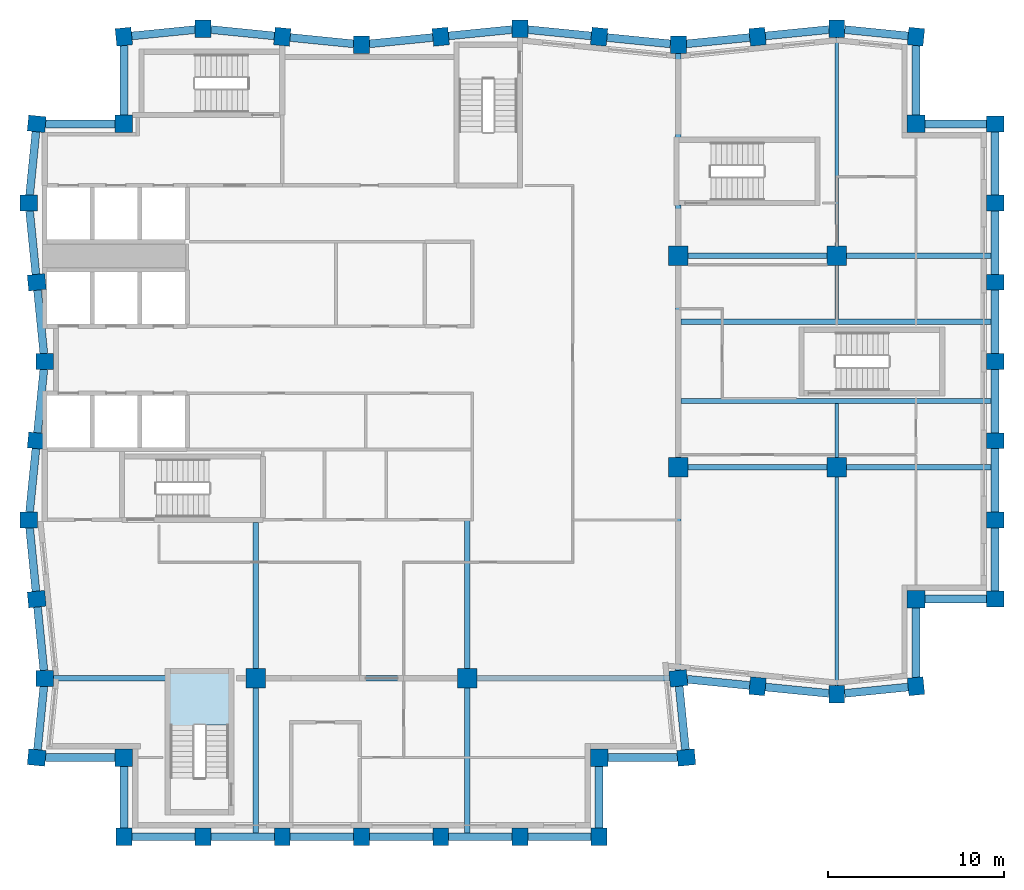
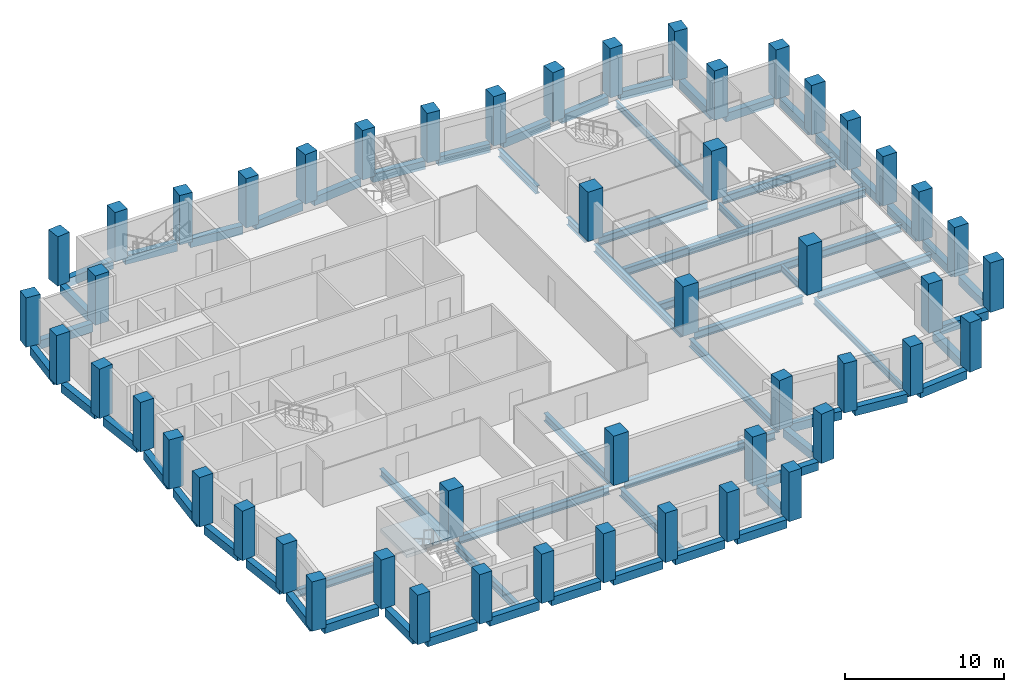
# One storey, part 1 of 8: 65 beams, 50 columns, 1 slab, 1 element without a shape of its own.
"""IFC4 building model written with IfcOpenShell, lengths in metres."""

from ifc_helpers import new_model, si_unit, direction, frame, origin, origin_2d, place, context, subcontext, project, spatial, polyline, rectangle, i_section, outline, extrude, material, layer, layer_set, material_profile, profile_set, type_object, element, aggregate, save


model = new_model("IFC4")

# Units and contexts
model_context = context("Model", 3, precision=1e-05, world=origin(), true_north=direction((0.0, 1.0)))
body_context = subcontext(model_context, "Body", "Model", "MODEL_VIEW")
ifc_project = project(units=[si_unit("LENGTHUNIT", "METRE"), si_unit("AREAUNIT", "SQUARE_METRE"), si_unit("VOLUMEUNIT", "CUBIC_METRE"), si_unit("PLANEANGLEUNIT", "RADIAN"), si_unit("MASSUNIT", "GRAM", prefix="KILO")], contexts=[model_context])

# Site, building, storey
site_placement = place(None, origin())
site = spatial("IfcSite", under=ifc_project, at=site_placement, CompositionType="ELEMENT")
building_placement = place(site_placement, origin())
building = spatial("IfcBuilding", under=site, at=building_placement, Name="Brondeck Convention Tower", CompositionType="ELEMENT")
storey_placement = place(building_placement, frame((0.0, 0.0, 233.0)))
storey = spatial("IfcBuildingStorey", under=building, at=storey_placement, Name="L57", CompositionType="ELEMENT", Elevation=233.0)

# Columns
ifc_material_1 = material(Name="Concrete C50/60", Category="concrete")
ifc_material_profile_1 = material_profile(ifc_material_1, rectangle(XDim=1.0, YDim=1.0, at=origin_2d()), Name="Corner column 1000x1000 Concrete C50/60")
ifc_profile_set_1 = profile_set([ifc_material_profile_1], Name="Concrete C50/60")
column_type_1 = type_object("IfcColumnType", Name="Corner column 1000x1000 Concrete C50/60", PredefinedType="COLUMN", material=ifc_profile_set_1)
for number, where, z_axis, x_axis, name in (
    (1, (4.5, 22.5, 0.0), (0.0, 0.0, 1.0), (1.0, 0.0, 0.0), "STR-COL-L57-NC-SWB18"),
    (2, (31.5, 22.5, 0.0), (0.0, 0.0, 1.0), (1.0, 0.0, 0.0), "STR-COL-L57-NC-SEB18"),
    (3, (49.5, 31.5, 0.0), (0.0, 0.0, 1.0), (1.0, 0.0, 0.0), "STR-COL-L57-NC-SEA54"),
    (4, (49.5, 58.5, 0.0), (0.0, 0.0, 1.0), (1.0, 0.0, 0.0), "STR-COL-L57-NC-NEA54"),
    (5, (4.5, 58.5, 0.0), (0.0, 0.0, 1.0), (1.0, 0.0, 0.0), "STR-COL-L57-NC-NW"),
):
    element("IfcColumn", number, at=place(storey_placement, frame(where, z_axis=z_axis, x_axis=x_axis)), inside=storey, type_object=column_type_1, Name=name, PredefinedType="COLUMN", context=body_context, shape_type="SweptSolid", body=[
        extrude(rectangle(XDim=1.0, YDim=1.0, at=origin_2d()), origin(), (0.0, 0.0, 1.0), 3.800048828125),
    ])
ifc_material_profile_2 = material_profile(ifc_material_1, rectangle(XDim=1.10009765625, YDim=1.10009765625, at=origin_2d()), Name="Interior column 1100x1100 Concrete C50/60")
ifc_profile_set_2 = profile_set([ifc_material_profile_2], Name="Concrete C50/60")
column_type_2 = type_object("IfcColumnType", Name="Interior column 1100x1100 Concrete C50/60", PredefinedType="COLUMN", material=ifc_profile_set_2)
for number, where, z_axis, x_axis, name in (
    (6, (12.0, 27.0, 0.0), (0.0, 0.0, 1.0), (1.0, 0.0, 0.0), "STR-COL-L57-IC-03"),
    (7, (24.0, 27.0, 0.0), (0.0, 0.0, 1.0), (1.0, 0.0, 0.0), "STR-COL-L57-IC-06"),
    (8, (36.0, 39.0, 0.0), (0.0, 0.0, 1.0), (1.0, 0.0, 0.0), "STR-COL-L57-IC-07"),
    (9, (36.0, 51.0, 0.0), (0.0, 0.0, 1.0), (1.0, 0.0, 0.0), "STR-COL-L57-IC-08"),
    (10, (45.0, 39.0, 0.0), (0.0, 0.0, 1.0), (1.0, 0.0, 0.0), "STR-COL-L57-IC-09"),
    (11, (45.0, 51.0, 0.0), (0.0, 0.0, 1.0), (1.0, 0.0, 0.0), "STR-COL-L57-IC-10"),
):
    element("IfcColumn", number, at=place(storey_placement, frame(where, z_axis=z_axis, x_axis=x_axis)), inside=storey, type_object=column_type_2, Name=name, PredefinedType="COLUMN", context=body_context, shape_type="SweptSolid", body=[
        extrude(rectangle(XDim=1.10009765625, YDim=1.10009765625, at=origin_2d()), origin(), (0.0, 0.0, 1.0), 3.800048828125),
    ])
ifc_material_profile_3 = material_profile(ifc_material_1, rectangle(XDim=0.89990234375, YDim=1.0, at=origin_2d()), Name="Perimeter pier 900x1000 Concrete C50/60")
ifc_profile_set_3 = profile_set([ifc_material_profile_3], Name="Concrete C50/60")
column_type_3 = type_object("IfcColumnType", Name="Perimeter pier 900x1000 Concrete C50/60", PredefinedType="COLUMN", material=ifc_profile_set_3)
for number, where, z_axis, x_axis, name in (
    (12, (4.5, 18.0, 0.0), (0.0, 0.0, 1.0), (1.0, 0.0, 0.0), "STR-COL-L57-PC-B-S18-01"),
    (13, (9.0, 18.0, 0.0), (0.0, 0.0, 1.0), (1.0, 0.0, 0.0), "STR-COL-L57-PC-B-S18-02"),
    (14, (13.5, 18.0, 0.0), (0.0, 0.0, 1.0), (1.0, 0.0, 0.0), "STR-COL-L57-PC-B-S18-03"),
    (15, (18.0, 18.0, 0.0), (0.0, 0.0, 1.0), (1.0, 0.0, 0.0), "STR-COL-L57-PC-B-S18-04"),
    (16, (22.5, 18.0, 0.0), (0.0, 0.0, 1.0), (1.0, 0.0, 0.0), "STR-COL-L57-PC-B-S18-05"),
    (17, (27.0, 18.0, 0.0), (0.0, 0.0, 1.0), (1.0, 0.0, 0.0), "STR-COL-L57-PC-B-S18-06"),
    (18, (31.5, 18.0, 0.0), (0.0, 0.0, 1.0), (1.0, 0.0, 0.0), "STR-COL-L57-PC-B-S18-07"),
    (19, (36.449951171875, 22.5, 0.0), (0.0, 0.0, 1.0), (-0.0995038382, 0.995037178292, 0.0), "STR-COL-L57-PC-B-E-01"),
    (20, (36.0, 27.0, 0.0), (0.0, 0.0, 1.0), (-0.0995038382, 0.995037178292, 0.0), "STR-COL-L57-PC-B-E-00"),
    (21, (40.5, 26.550048828125, 0.0), (0.0, 0.0, 1.0), (0.995037178292, -0.0995038382, 0.0), "STR-COL-L57-PC-A-S-01"),
    (22, (45.0, 26.10009765625, 0.0), (0.0, 0.0, 1.0), (1.0, 0.0, 0.0), "STR-COL-L57-PC-A-S-02"),
    (23, (49.5, 26.550048828125, 0.0), (0.0, 0.0, 1.0), (0.995037178292, 0.0995038382, 0.0), "STR-COL-L57-PC-A-S-03"),
    (24, (54.0, 31.5, 0.0), (0.0, 0.0, 1.0), (0.0, 1.0, 0.0), "STR-COL-L57-PC-A-E54-01"),
    (25, (54.0, 36.0, 0.0), (0.0, 0.0, 1.0), (0.0, 1.0, 0.0), "STR-COL-L57-PC-A-E54-02"),
    (26, (54.0, 40.5, 0.0), (0.0, 0.0, 1.0), (0.0, 1.0, 0.0), "STR-COL-L57-PC-A-E54-03"),
    (27, (54.0, 45.0, 0.0), (0.0, 0.0, 1.0), (0.0, 1.0, 0.0), "STR-COL-L57-PC-A-E54-04"),
    (28, (54.0, 49.5, 0.0), (0.0, 0.0, 1.0), (0.0, 1.0, 0.0), "STR-COL-L57-PC-A-E54-05"),
    (29, (54.0, 54.0, 0.0), (0.0, 0.0, 1.0), (0.0, 1.0, 0.0), "STR-COL-L57-PC-A-E54-06"),
    (30, (54.0, 58.5, 0.0), (0.0, 0.0, 1.0), (0.0, 1.0, 0.0), "STR-COL-L57-PC-A-E54-07"),
    (31, (49.5, 63.449951171875, 0.0), (0.0, 0.0, 1.0), (-0.995037178292, 0.0995038382, 0.0), "STR-COL-L57-PC-A-N-11"),
    (32, (45.0, 63.89990234375, 0.0), (0.0, 0.0, 1.0), (-1.0, 0.0, 0.0), "STR-COL-L57-PC-A-N-10"),
    (33, (40.5, 63.449951171875, 0.0), (0.0, 0.0, 1.0), (-0.995037178292, -0.0995038382, 0.0), "STR-COL-L57-PC-A-N-09"),
    (34, (36.0, 63.0, 0.0), (0.0, 0.0, 1.0), (-1.0, 0.0, 0.0), "STR-COL-L57-PC-A-N-08"),
    (35, (31.5, 63.449951171875, 0.0), (0.0, 0.0, 1.0), (-0.995037178292, 0.0995038382, 0.0), "STR-COL-L57-PC-A-N-07"),
    (36, (27.0, 63.89990234375, 0.0), (0.0, 0.0, 1.0), (-1.0, 0.0, 0.0), "STR-COL-L57-PC-A-N-06"),
    (37, (22.5, 63.449951171875, 0.0), (0.0, 0.0, 1.0), (-0.995037178292, -0.0995038382, 0.0), "STR-COL-L57-PC-A-N-05"),
    (38, (18.0, 63.0, 0.0), (0.0, 0.0, 1.0), (-1.0, 0.0, 0.0), "STR-COL-L57-PC-A-N-04"),
    (39, (13.5, 63.449951171875, 0.0), (0.0, 0.0, 1.0), (-0.995037178292, 0.0995038382, 0.0), "STR-COL-L57-PC-A-N-03"),
    (40, (9.0, 63.89990234375, 0.0), (0.0, 0.0, 1.0), (-1.0, 0.0, 0.0), "STR-COL-L57-PC-A-N-02"),
    (41, (4.5, 63.449951171875, 0.0), (0.0, 0.0, 1.0), (-0.995037178292, -0.0995038382, 0.0), "STR-COL-L57-PC-A-N-01"),
    (42, (-0.449951171875, 58.5, 0.0), (0.0, 0.0, 1.0), (-0.0995038382, -0.995037178292, 0.0), "STR-COL-L57-PC-B-W-01"),
    (43, (-0.89990234375, 54.0, 0.0), (0.0, 0.0, 1.0), (0.0, -1.0, 0.0), "STR-COL-L57-PC-B-W-02"),
    (44, (-0.449951171875, 49.5, 0.0), (0.0, 0.0, 1.0), (0.0995038382, -0.995037178292, 0.0), "STR-COL-L57-PC-B-W-03"),
    (45, (0.0, 45.0, 0.0), (0.0, 0.0, 1.0), (0.0, -1.0, 0.0), "STR-COL-L57-PC-B-W-04"),
    (46, (-0.449951171875, 40.5, 0.0), (0.0, 0.0, 1.0), (-0.0995038382, -0.995037178292, 0.0), "STR-COL-L57-PC-B-W-05"),
    (47, (-0.89990234375, 36.0, 0.0), (0.0, 0.0, 1.0), (0.0, -1.0, 0.0), "STR-COL-L57-PC-B-W-06"),
    (48, (-0.449951171875, 31.5, 0.0), (0.0, 0.0, 1.0), (0.0995038382, -0.995037178292, 0.0), "STR-COL-L57-PC-B-W-07"),
    (49, (0.0, 27.0, 0.0), (0.0, 0.0, 1.0), (0.0, -1.0, 0.0), "STR-COL-L57-PC-B-W-08"),
    (50, (-0.449951171875, 22.5, 0.0), (0.0, 0.0, 1.0), (-0.0995038382, -0.995037178292, 0.0), "STR-COL-L57-PC-B-W-09"),
):
    element("IfcColumn", number, at=place(storey_placement, frame(where, z_axis=z_axis, x_axis=x_axis)), inside=storey, type_object=column_type_3, Name=name, PredefinedType="COLUMN", context=body_context, shape_type="SweptSolid", body=[
        extrude(rectangle(XDim=0.89990234375, YDim=1.0, at=origin_2d()), origin(), (0.0, 0.0, 1.0), 3.800048828125),
    ])

# Beams
ifc_material_2 = material(Name="Steel S355", Category="steel")
ifc_material_profile_4 = material_profile(ifc_material_2, i_section(OverallWidth=0.199951171875, OverallDepth=0.5, WebThickness=0.01025390625, FlangeThickness=0.01611328125, FilletRadius=0.02099609375, at=origin_2d()), Name="IPE 500")
ifc_profile_set_4 = profile_set([ifc_material_profile_4], Name="Steel S355")
beam_type_1 = type_object("IfcBeamType", Name="Floor beam IPE 500", PredefinedType="BEAM", material=ifc_profile_set_4)
for number, where, z_axis, x_axis, name in (
    (51, (45.0, 26.60009765625, -0.550048828125), (0.0, 1.0, 0.0), (-1.0, 0.0, 0.0), "STR-FB-L57-001"),
    (52, (45.0, 51.550048828125, -0.550048828125), (0.0, 1.0, 0.0), (-1.0, 0.0, 0.0), "STR-FB-L57-002"),
):
    element("IfcBeam", number, at=place(storey_placement, frame(where, z_axis=z_axis, x_axis=x_axis)), inside=storey, type_object=beam_type_1, Name=name, PredefinedType="BEAM", context=body_context, shape_type="SweptSolid", body=[
        extrude(i_section(OverallWidth=0.199951171875, OverallDepth=0.5, WebThickness=0.01025390625, FlangeThickness=0.01611328125, FilletRadius=0.02099609375, at=origin_2d()), origin(), (0.0, 0.0, 1.0), 11.849853515625),
    ])
for number, where, z_axis, x_axis, name in (
    (53, (45.0, 39.550048828125, -0.550048828125), (0.0, 1.0, 0.0), (-1.0, 0.0, 0.0), "STR-FB-L57-003"),
    (54, (45.0, 47.39990234375, -0.550048828125), (0.0, 1.0, 0.0), (-1.0, 0.0, 0.0), "STR-FB-L57-004"),
):
    element("IfcBeam", number, at=place(storey_placement, frame(where, z_axis=z_axis, x_axis=x_axis)), inside=storey, type_object=beam_type_1, Name=name, PredefinedType="BEAM", context=body_context, shape_type="SweptSolid", body=[
        extrude(i_section(OverallWidth=0.199951171875, OverallDepth=0.5, WebThickness=0.01025390625, FlangeThickness=0.01611328125, FilletRadius=0.02099609375, at=origin_2d()), origin(), (0.0, 0.0, 1.0), 3.050048828125),
    ])
ifc_material_profile_5 = material_profile(ifc_material_2, i_section(OverallWidth=0.300048828125, OverallDepth=0.60009765625, WebThickness=0.015380859375, FlangeThickness=0.030029296875, FilletRadius=0.027099609375, at=origin_2d()), Name="HEB 600")
ifc_profile_set_5 = profile_set([ifc_material_profile_5], Name="Steel S355")
beam_type_2 = type_object("IfcBeamType", Name="Girder HEB 600", PredefinedType="BEAM", material=ifc_profile_set_5)
beam_1_placement = place(storey_placement, frame((36.550048828125, 39.0, -0.60009765625), z_axis=(1.0, 0.0, 0.0), x_axis=(0.0, 1.0, 0.0)))
element("IfcBeam", 55, at=beam_1_placement, inside=storey, type_object=beam_type_2, Name="STR-GR-L57-001", PredefinedType="BEAM", context=body_context, shape_type="SweptSolid", body=[
    extrude(i_section(OverallWidth=0.300048828125, OverallDepth=0.60009765625, WebThickness=0.015380859375, FlangeThickness=0.030029296875, FilletRadius=0.027099609375, at=origin_2d()), origin(), (0.0, 0.0, 1.0), 7.89990234375),
])
beam_2_placement = place(storey_placement, frame((45.550048828125, 39.0, -0.60009765625), z_axis=(1.0, 0.0, 0.0), x_axis=(0.0, 1.0, 0.0)))
element("IfcBeam", 56, at=beam_2_placement, inside=storey, type_object=beam_type_2, Name="STR-GR-L57-002", PredefinedType="BEAM", context=body_context, shape_type="SweptSolid", body=[
    extrude(i_section(OverallWidth=0.300048828125, OverallDepth=0.60009765625, WebThickness=0.015380859375, FlangeThickness=0.030029296875, FilletRadius=0.027099609375, at=origin_2d()), origin(), (0.0, 0.0, 1.0), 8.224853515625),
])
beam_3_placement = place(storey_placement, frame((36.550048828125, 51.0, -0.60009765625), z_axis=(1.0, 0.0, 0.0), x_axis=(0.0, 1.0, 0.0)))
element("IfcBeam", 57, at=beam_3_placement, inside=storey, type_object=beam_type_2, Name="STR-GR-L57-003", PredefinedType="BEAM", context=body_context, shape_type="SweptSolid", body=[
    extrude(i_section(OverallWidth=0.300048828125, OverallDepth=0.60009765625, WebThickness=0.015380859375, FlangeThickness=0.030029296875, FilletRadius=0.027099609375, at=origin_2d()), origin(), (0.0, 0.0, 1.0), 7.89990234375),
])
beam_4_placement = place(storey_placement, frame((45.550048828125, 51.0, -0.60009765625), z_axis=(1.0, 0.0, 0.0), x_axis=(0.0, 1.0, 0.0)))
element("IfcBeam", 58, at=beam_4_placement, inside=storey, type_object=beam_type_2, Name="STR-GR-L57-004", PredefinedType="BEAM", context=body_context, shape_type="SweptSolid", body=[
    extrude(i_section(OverallWidth=0.300048828125, OverallDepth=0.60009765625, WebThickness=0.015380859375, FlangeThickness=0.030029296875, FilletRadius=0.027099609375, at=origin_2d()), origin(), (0.0, 0.0, 1.0), 8.224853515625),
])
beam_5_placement = place(storey_placement, frame((36.0, 27.4521484375, -0.60009765625), z_axis=(0.0, 1.0, 0.0), x_axis=(-1.0, 0.0, 0.0)))
element("IfcBeam", 59, at=beam_5_placement, inside=storey, type_object=beam_type_2, Name="STR-GR-L57-005", PredefinedType="BEAM", context=body_context, shape_type="SweptSolid", body=[
    extrude(i_section(OverallWidth=0.300048828125, OverallDepth=0.60009765625, WebThickness=0.015380859375, FlangeThickness=0.030029296875, FilletRadius=0.027099609375, at=origin_2d()), origin(), (0.0, 0.0, 1.0), 10.997802734375),
])
beam_6_placement = place(storey_placement, frame((36.0, 39.550048828125, -0.60009765625), z_axis=(0.0, 1.0, 0.0), x_axis=(-1.0, 0.0, 0.0)))
element("IfcBeam", 60, at=beam_6_placement, inside=storey, type_object=beam_type_2, Name="STR-GR-L57-006", PredefinedType="BEAM", context=body_context, shape_type="SweptSolid", body=[
    extrude(i_section(OverallWidth=0.300048828125, OverallDepth=0.60009765625, WebThickness=0.015380859375, FlangeThickness=0.030029296875, FilletRadius=0.027099609375, at=origin_2d()), origin(), (0.0, 0.0, 1.0), 10.89990234375),
])
beam_7_placement = place(storey_placement, frame((36.0, 51.550048828125, -0.60009765625), z_axis=(0.0, 1.0, 0.0), x_axis=(-1.0, 0.0, 0.0)))
element("IfcBeam", 61, at=beam_7_placement, inside=storey, type_object=beam_type_2, Name="STR-GR-L57-007", PredefinedType="BEAM", context=body_context, shape_type="SweptSolid", body=[
    extrude(i_section(OverallWidth=0.300048828125, OverallDepth=0.60009765625, WebThickness=0.015380859375, FlangeThickness=0.030029296875, FilletRadius=0.027099609375, at=origin_2d()), origin(), (0.0, 0.0, 1.0), 2.329833984375),
])
beam_8_placement = place(storey_placement, frame((36.0, 57.719970703125, -0.60009765625), z_axis=(0.0, 1.0, 0.0), x_axis=(-1.0, 0.0, 0.0)))
element("IfcBeam", 62, at=beam_8_placement, inside=storey, type_object=beam_type_2, Name="STR-GR-L57-008", PredefinedType="BEAM", context=body_context, shape_type="SweptSolid", body=[
    extrude(i_section(OverallWidth=0.300048828125, OverallDepth=0.60009765625, WebThickness=0.015380859375, FlangeThickness=0.030029296875, FilletRadius=0.027099609375, at=origin_2d()), origin(), (0.0, 0.0, 1.0), 4.780029296875),
])
beam_9_placement = place(storey_placement, frame((12.0, 35.85009765625, -0.60009765625), z_axis=(0.0, -1.0, 0.0), x_axis=(1.0, 0.0, 0.0)))
element("IfcBeam", 63, at=beam_9_placement, inside=storey, type_object=beam_type_2, Name="STR-GR-L57-009", PredefinedType="BEAM", context=body_context, shape_type="SweptSolid", body=[
    extrude(i_section(OverallWidth=0.300048828125, OverallDepth=0.60009765625, WebThickness=0.015380859375, FlangeThickness=0.030029296875, FilletRadius=0.027099609375, at=origin_2d()), origin(), (0.0, 0.0, 1.0), 8.300048828125),
])
beam_10_placement = place(storey_placement, frame((12.0, 26.449951171875, -0.60009765625), z_axis=(0.0, -1.0, 0.0), x_axis=(1.0, 0.0, 0.0)))
element("IfcBeam", 64, at=beam_10_placement, inside=storey, type_object=beam_type_2, Name="STR-GR-L57-010", PredefinedType="BEAM", context=body_context, shape_type="SweptSolid", body=[
    extrude(i_section(OverallWidth=0.300048828125, OverallDepth=0.60009765625, WebThickness=0.015380859375, FlangeThickness=0.030029296875, FilletRadius=0.027099609375, at=origin_2d()), origin(), (0.0, 0.0, 1.0), 8.224853515625),
])
beam_11_placement = place(storey_placement, frame((24.0, 35.955078125, -0.60009765625), z_axis=(0.0, -1.0, 0.0), x_axis=(1.0, 0.0, 0.0)))
element("IfcBeam", 65, at=beam_11_placement, inside=storey, type_object=beam_type_2, Name="STR-GR-L57-011", PredefinedType="BEAM", context=body_context, shape_type="SweptSolid", body=[
    extrude(i_section(OverallWidth=0.300048828125, OverallDepth=0.60009765625, WebThickness=0.015380859375, FlangeThickness=0.030029296875, FilletRadius=0.027099609375, at=origin_2d()), origin(), (0.0, 0.0, 1.0), 8.405029296875),
])
beam_12_placement = place(storey_placement, frame((24.0, 26.449951171875, -0.60009765625), z_axis=(0.0, -1.0, 0.0), x_axis=(1.0, 0.0, 0.0)))
element("IfcBeam", 66, at=beam_12_placement, inside=storey, type_object=beam_type_2, Name="STR-GR-L57-012", PredefinedType="BEAM", context=body_context, shape_type="SweptSolid", body=[
    extrude(i_section(OverallWidth=0.300048828125, OverallDepth=0.60009765625, WebThickness=0.015380859375, FlangeThickness=0.030029296875, FilletRadius=0.027099609375, at=origin_2d()), origin(), (0.0, 0.0, 1.0), 8.224853515625),
])
beam_13_placement = place(storey_placement, frame((0.5, 27.0, -0.60009765625), z_axis=(1.0, 0.0, 0.0), x_axis=(0.0, 1.0, 0.0)))
element("IfcBeam", 67, at=beam_13_placement, inside=storey, type_object=beam_type_2, Name="STR-GR-L57-013", PredefinedType="BEAM", context=body_context, shape_type="SweptSolid", body=[
    extrude(i_section(OverallWidth=0.300048828125, OverallDepth=0.60009765625, WebThickness=0.015380859375, FlangeThickness=0.030029296875, FilletRadius=0.027099609375, at=origin_2d()), origin(), (0.0, 0.0, 1.0), 6.3798828125),
])
beam_14_placement = place(storey_placement, frame((12.550048828125, 27.0, -0.60009765625), z_axis=(1.0, 0.0, 0.0), x_axis=(0.0, 1.0, 0.0)))
element("IfcBeam", 68, at=beam_14_placement, inside=storey, type_object=beam_type_2, Name="STR-GR-L57-014", PredefinedType="BEAM", context=body_context, shape_type="SweptSolid", body=[
    extrude(i_section(OverallWidth=0.300048828125, OverallDepth=0.60009765625, WebThickness=0.015380859375, FlangeThickness=0.030029296875, FilletRadius=0.027099609375, at=origin_2d()), origin(), (0.0, 0.0, 1.0), 10.89990234375),
])
beam_15_placement = place(storey_placement, frame((24.550048828125, 27.0, -0.60009765625), z_axis=(1.0, 0.0, 0.0), x_axis=(0.0, 1.0, 0.0)))
element("IfcBeam", 69, at=beam_15_placement, inside=storey, type_object=beam_type_2, Name="STR-GR-L57-015", PredefinedType="BEAM", context=body_context, shape_type="SweptSolid", body=[
    extrude(i_section(OverallWidth=0.300048828125, OverallDepth=0.60009765625, WebThickness=0.015380859375, FlangeThickness=0.030029296875, FilletRadius=0.027099609375, at=origin_2d()), origin(), (0.0, 0.0, 1.0), 10.947509765625),
])
for number, where, z_axis, x_axis, name in (
    (70, (36.14990234375, 42.75, -0.60009765625), (1.0, 0.0, 0.0), (0.0, 1.0, 0.0), "STR-GR-L57-016"),
    (71, (36.14990234375, 47.25, -0.60009765625), (1.0, 0.0, 0.0), (0.0, 1.0, 0.0), "STR-GR-L57-017"),
):
    element("IfcBeam", number, at=place(storey_placement, frame(where, z_axis=z_axis, x_axis=x_axis)), inside=storey, type_object=beam_type_2, Name=name, PredefinedType="BEAM", context=body_context, shape_type="SweptSolid", body=[
        extrude(i_section(OverallWidth=0.300048828125, OverallDepth=0.60009765625, WebThickness=0.015380859375, FlangeThickness=0.030029296875, FilletRadius=0.027099609375, at=origin_2d()), origin(), (0.0, 0.0, 1.0), 17.625),
    ])
ifc_material_profile_6 = material_profile(ifc_material_1, rectangle(XDim=0.449951171875, YDim=0.64990234375, at=origin_2d()), Name="Precast spandrel 450x650 Concrete C50/60")
ifc_profile_set_6 = profile_set([ifc_material_profile_6], Name="Concrete C50/60")
beam_type_3 = type_object("IfcBeamType", Name="Precast spandrel 450x650 Concrete C50/60", PredefinedType="SPANDREL", material=ifc_profile_set_6)
for number, where, z_axis, x_axis, name in (
    (72, (4.949951171875, 18.0, -0.324951171875), (1.0, 0.0, 0.0), (0.0, 1.0, 0.0), "STR-SP-L57-001"),
    (73, (9.449951171875, 18.0, -0.324951171875), (1.0, 0.0, 0.0), (0.0, 1.0, 0.0), "STR-SP-L57-002"),
    (74, (13.949951171875, 18.0, -0.324951171875), (1.0, 0.0, 0.0), (0.0, 1.0, 0.0), "STR-SP-L57-003"),
    (75, (18.449951171875, 18.0, -0.324951171875), (1.0, 0.0, 0.0), (0.0, 1.0, 0.0), "STR-SP-L57-004"),
    (76, (22.949951171875, 18.0, -0.324951171875), (1.0, 0.0, 0.0), (0.0, 1.0, 0.0), "STR-SP-L57-005"),
    (77, (27.449951171875, 18.0, -0.324951171875), (1.0, 0.0, 0.0), (0.0, 1.0, 0.0), "STR-SP-L57-006"),
):
    element("IfcBeam", number, at=place(storey_placement, frame(where, z_axis=z_axis, x_axis=x_axis)), inside=storey, type_object=beam_type_3, Name=name, PredefinedType="SPANDREL", context=body_context, shape_type="SweptSolid", body=[
        extrude(rectangle(XDim=0.449951171875, YDim=0.64990234375, at=origin_2d()), origin(), (0.0, 0.0, 1.0), 3.60009765625),
    ])
beam_16_placement = place(storey_placement, frame((31.5, 18.5, -0.324951171875), z_axis=(0.0, 1.0, 0.0), x_axis=(-1.0, 0.0, 0.0)))
element("IfcBeam", 78, at=beam_16_placement, inside=storey, type_object=beam_type_3, Name="STR-SP-L57-007", PredefinedType="SPANDREL", context=body_context, shape_type="SweptSolid", body=[
    extrude(rectangle(XDim=0.449951171875, YDim=0.64990234375, at=origin_2d()), origin(), (0.0, 0.0, 1.0), 3.5),
])
beam_17_placement = place(storey_placement, frame((32.0, 22.5, -0.324951171875), z_axis=(1.0, 0.0, 0.0), x_axis=(0.0, 1.0, 0.0)))
element("IfcBeam", 79, at=beam_17_placement, inside=storey, type_object=beam_type_3, Name="STR-SP-L57-008", PredefinedType="SPANDREL", context=body_context, shape_type="SweptSolid", body=[
    extrude(rectangle(XDim=0.449951171875, YDim=0.64990234375, at=origin_2d()), origin(), (0.0, 0.0, 1.0), 3.947509765625),
])
beam_18_placement = place(storey_placement, frame((36.4052734375, 22.94775390625, -0.324951171875), z_axis=(-0.099543756114, 0.995033185687, 0.0), x_axis=(-0.995033185687, -0.099543756114, 0.0)))
element("IfcBeam", 80, at=beam_18_placement, inside=storey, type_object=beam_type_3, Name="STR-SP-L57-009", PredefinedType="SPANDREL", context=body_context, shape_type="SweptSolid", body=[
    extrude(rectangle(XDim=0.449951171875, YDim=0.64990234375, at=origin_2d()), origin(), (0.0, 0.0, 1.0), 3.62255859375),
])
beam_19_placement = place(storey_placement, frame((36.507568359375, 26.94921875, -0.324951171875), z_axis=(0.995036511638, -0.099510504504, 0.0), x_axis=(0.099510504504, 0.995036511638, 0.0)))
element("IfcBeam", 81, at=beam_19_placement, inside=storey, type_object=beam_type_3, Name="STR-SP-L57-010", PredefinedType="SPANDREL", context=body_context, shape_type="SweptSolid", body=[
    extrude(rectangle(XDim=0.449951171875, YDim=0.64990234375, at=origin_2d()), origin(), (0.0, 0.0, 1.0), 3.562255859375),
])
for number, where, z_axis, x_axis, name in (
    (82, (40.94775390625, 26.505126953125, -0.324951171875), (0.995040528141, -0.099470334057, 0.0), (0.099470334057, 0.995040528141, 0.0), "STR-SP-L57-011"),
    (83, (45.449951171875, 26.14501953125, -0.324951171875), (0.995040528141, 0.099470334057, 0.0), (-0.099470334057, 0.995040528141, 0.0), "STR-SP-L57-012"),
):
    element("IfcBeam", number, at=place(storey_placement, frame(where, z_axis=z_axis, x_axis=x_axis)), inside=storey, type_object=beam_type_3, Name=name, PredefinedType="SPANDREL", context=body_context, shape_type="SweptSolid", body=[
        extrude(rectangle(XDim=0.449951171875, YDim=0.64990234375, at=origin_2d()), origin(), (0.0, 0.0, 1.0), 3.620361328125),
    ])
beam_20_placement = place(storey_placement, frame((49.5, 27.052490234375, -0.324951171875), z_axis=(0.0, 1.0, 0.0), x_axis=(-1.0, 0.0, 0.0)))
element("IfcBeam", 84, at=beam_20_placement, inside=storey, type_object=beam_type_3, Name="STR-SP-L57-013", PredefinedType="SPANDREL", context=body_context, shape_type="SweptSolid", body=[
    extrude(rectangle(XDim=0.449951171875, YDim=0.64990234375, at=origin_2d()), origin(), (0.0, 0.0, 1.0), 3.947509765625),
])
beam_21_placement = place(storey_placement, frame((50.0, 31.5, -0.324951171875), z_axis=(1.0, 0.0, 0.0), x_axis=(0.0, 1.0, 0.0)))
element("IfcBeam", 85, at=beam_21_placement, inside=storey, type_object=beam_type_3, Name="STR-SP-L57-014", PredefinedType="SPANDREL", context=body_context, shape_type="SweptSolid", body=[
    extrude(rectangle(XDim=0.449951171875, YDim=0.64990234375, at=origin_2d()), origin(), (0.0, 0.0, 1.0), 3.5),
])
for number, where, z_axis, x_axis, name in (
    (86, (54.0, 31.949951171875, -0.324951171875), (0.0, 1.0, 0.0), (-1.0, 0.0, 0.0), "STR-SP-L57-015"),
    (87, (54.0, 36.449951171875, -0.324951171875), (0.0, 1.0, 0.0), (-1.0, 0.0, 0.0), "STR-SP-L57-016"),
    (88, (54.0, 40.949951171875, -0.324951171875), (0.0, 1.0, 0.0), (-1.0, 0.0, 0.0), "STR-SP-L57-017"),
    (89, (54.0, 45.449951171875, -0.324951171875), (0.0, 1.0, 0.0), (-1.0, 0.0, 0.0), "STR-SP-L57-018"),
    (90, (54.0, 49.949951171875, -0.324951171875), (0.0, 1.0, 0.0), (-1.0, 0.0, 0.0), "STR-SP-L57-019"),
    (91, (54.0, 54.449951171875, -0.324951171875), (0.0, 1.0, 0.0), (-1.0, 0.0, 0.0), "STR-SP-L57-020"),
):
    element("IfcBeam", number, at=place(storey_placement, frame(where, z_axis=z_axis, x_axis=x_axis)), inside=storey, type_object=beam_type_3, Name=name, PredefinedType="SPANDREL", context=body_context, shape_type="SweptSolid", body=[
        extrude(rectangle(XDim=0.449951171875, YDim=0.64990234375, at=origin_2d()), origin(), (0.0, 0.0, 1.0), 3.60009765625),
    ])
beam_22_placement = place(storey_placement, frame((53.5, 58.5, -0.324951171875), z_axis=(-1.0, 0.0, 0.0), x_axis=(0.0, -1.0, 0.0)))
element("IfcBeam", 92, at=beam_22_placement, inside=storey, type_object=beam_type_3, Name="STR-SP-L57-021", PredefinedType="SPANDREL", context=body_context, shape_type="SweptSolid", body=[
    extrude(rectangle(XDim=0.449951171875, YDim=0.64990234375, at=origin_2d()), origin(), (0.0, 0.0, 1.0), 3.5),
])
beam_23_placement = place(storey_placement, frame((49.5, 59.0, -0.324951171875), z_axis=(0.0, 1.0, 0.0), x_axis=(-1.0, 0.0, 0.0)))
element("IfcBeam", 93, at=beam_23_placement, inside=storey, type_object=beam_type_3, Name="STR-SP-L57-022", PredefinedType="SPANDREL", context=body_context, shape_type="SweptSolid", body=[
    extrude(rectangle(XDim=0.449951171875, YDim=0.64990234375, at=origin_2d()), origin(), (0.0, 0.0, 1.0), 3.947509765625),
])
for number, where, z_axis, x_axis, name in (
    (94, (49.05224609375, 63.494873046875, -0.324951171875), (-0.995040528141, 0.099470334057, 0.0), (-0.099470334057, -0.995040528141, 0.0), "STR-SP-L57-023"),
    (95, (44.550048828125, 63.85498046875, -0.324951171875), (-0.995040528141, -0.099470334057, 0.0), (0.099470334057, -0.995040528141, 0.0), "STR-SP-L57-024"),
    (96, (40.05224609375, 63.4052734375, -0.324951171875), (-0.995033851182, -0.099537103649, 0.0), (0.099537103649, -0.995033851182, 0.0), "STR-SP-L57-025"),
    (97, (35.550048828125, 63.044921875, -0.324951171875), (-0.995033851182, 0.099537103649, 0.0), (-0.099537103649, -0.995033851182, 0.0), "STR-SP-L57-026"),
    (98, (31.05224609375, 63.494873046875, -0.324951171875), (-0.995040528141, 0.099470334057, 0.0), (-0.099470334057, -0.995040528141, 0.0), "STR-SP-L57-027"),
    (99, (26.550048828125, 63.85498046875, -0.324951171875), (-0.995040528141, -0.099470334057, 0.0), (0.099470334057, -0.995040528141, 0.0), "STR-SP-L57-028"),
    (100, (22.05224609375, 63.4052734375, -0.324951171875), (-0.995033851182, -0.099537103649, 0.0), (0.099537103649, -0.995033851182, 0.0), "STR-SP-L57-029"),
    (101, (17.550048828125, 63.044921875, -0.324951171875), (-0.995033851182, 0.099537103649, 0.0), (-0.099537103649, -0.995033851182, 0.0), "STR-SP-L57-030"),
    (102, (13.05224609375, 63.494873046875, -0.324951171875), (-0.995040528141, 0.099470334057, 0.0), (-0.099470334057, -0.995040528141, 0.0), "STR-SP-L57-031"),
    (103, (8.550048828125, 63.85498046875, -0.324951171875), (-0.995040528141, -0.099470334057, 0.0), (0.099470334057, -0.995040528141, 0.0), "STR-SP-L57-032"),
):
    element("IfcBeam", number, at=place(storey_placement, frame(where, z_axis=z_axis, x_axis=x_axis)), inside=storey, type_object=beam_type_3, Name=name, PredefinedType="SPANDREL", context=body_context, shape_type="SweptSolid", body=[
        extrude(rectangle(XDim=0.449951171875, YDim=0.64990234375, at=origin_2d()), origin(), (0.0, 0.0, 1.0), 3.620361328125),
    ])
for number, where, z_axis, x_axis, name in (
    (104, (4.5, 62.947509765625, -0.324951171875), (0.0, -1.0, 0.0), (1.0, 0.0, 0.0), "STR-SP-L57-033"),
    (105, (4.0, 58.5, -0.324951171875), (-1.0, 0.0, 0.0), (0.0, -1.0, 0.0), "STR-SP-L57-034"),
):
    element("IfcBeam", number, at=place(storey_placement, frame(where, z_axis=z_axis, x_axis=x_axis)), inside=storey, type_object=beam_type_3, Name=name, PredefinedType="SPANDREL", context=body_context, shape_type="SweptSolid", body=[
        extrude(rectangle(XDim=0.449951171875, YDim=0.64990234375, at=origin_2d()), origin(), (0.0, 0.0, 1.0), 3.947509765625),
    ])
for number, where, z_axis, x_axis, name in (
    (106, (-0.494873046875, 58.05224609375, -0.324951171875), (-0.099470334057, -0.995040528141, 0.0), (0.995040528141, -0.099470334057, 0.0), "STR-SP-L57-035"),
    (107, (-0.85498046875, 53.550048828125, -0.324951171875), (0.099470334057, -0.995040528141, 0.0), (0.995040528141, 0.099470334057, 0.0), "STR-SP-L57-036"),
    (108, (-0.4052734375, 49.05224609375, -0.324951171875), (0.099537103649, -0.995033851182, 0.0), (0.995033851182, 0.099537103649, 0.0), "STR-SP-L57-037"),
    (109, (-0.044921875, 44.550048828125, -0.324951171875), (-0.099537103649, -0.995033851182, 0.0), (0.995033851182, -0.099537103649, 0.0), "STR-SP-L57-038"),
    (110, (-0.494873046875, 40.05224609375, -0.324951171875), (-0.099470334057, -0.995040528141, 0.0), (0.995040528141, -0.099470334057, 0.0), "STR-SP-L57-039"),
    (111, (-0.85498046875, 35.550048828125, -0.324951171875), (0.099470334057, -0.995040528141, 0.0), (0.995040528141, 0.099470334057, 0.0), "STR-SP-L57-040"),
    (112, (-0.4052734375, 31.05224609375, -0.324951171875), (0.099537103649, -0.995033851182, 0.0), (0.995033851182, 0.099537103649, 0.0), "STR-SP-L57-041"),
    (113, (-0.044921875, 26.550048828125, -0.324951171875), (-0.099537103649, -0.995033851182, 0.0), (0.995033851182, -0.099537103649, 0.0), "STR-SP-L57-042"),
):
    element("IfcBeam", number, at=place(storey_placement, frame(where, z_axis=z_axis, x_axis=x_axis)), inside=storey, type_object=beam_type_3, Name=name, PredefinedType="SPANDREL", context=body_context, shape_type="SweptSolid", body=[
        extrude(rectangle(XDim=0.449951171875, YDim=0.64990234375, at=origin_2d()), origin(), (0.0, 0.0, 1.0), 3.620361328125),
    ])
beam_24_placement = place(storey_placement, frame((0.052490234375, 22.5, -0.324951171875), z_axis=(1.0, 0.0, 0.0), x_axis=(0.0, 1.0, 0.0)))
element("IfcBeam", 114, at=beam_24_placement, inside=storey, type_object=beam_type_3, Name="STR-SP-L57-043", PredefinedType="SPANDREL", context=body_context, shape_type="SweptSolid", body=[
    extrude(rectangle(XDim=0.449951171875, YDim=0.64990234375, at=origin_2d()), origin(), (0.0, 0.0, 1.0), 3.947509765625),
])
beam_25_placement = place(storey_placement, frame((4.5, 22.0, -0.324951171875), z_axis=(0.0, -1.0, 0.0), x_axis=(1.0, 0.0, 0.0)))
element("IfcBeam", 115, at=beam_25_placement, inside=storey, type_object=beam_type_3, Name="STR-SP-L57-044", PredefinedType="SPANDREL", context=body_context, shape_type="SweptSolid", body=[
    extrude(rectangle(XDim=0.449951171875, YDim=0.64990234375, at=origin_2d()), origin(), (0.0, 0.0, 1.0), 3.5),
])

# Stair, slab
ifc_material_3 = material(Name="Precast concrete C50/60", Category="concrete")
stair_type = type_object("IfcStairType", Name="Core stair 22 risers 172.73 mm riser 300 mm going 1350 wide", PredefinedType="HALF_TURN_STAIR", material=ifc_material_3)
stair_placement = place(storey_placement, origin())
stair = element("IfcStair", 116, at=stair_placement, inside=storey, type_object=stair_type, Name="ST-BE L57 stair", PredefinedType="HALF_TURN_STAIR")
ifc_layer = layer(ifc_material_3, 0.25)
ifc_layer_set = layer_set([ifc_layer], Name="Core stair landing 250 Precast concrete C50/60")
slab_type = type_object("IfcSlabType", Name="Core stair landing 250 Precast concrete C50/60", PredefinedType="LANDING", material=ifc_layer_set)
slab_placement = place(storey_placement, frame((0.0, 0.0, 1.64990234375)))
slab = element("IfcSlab", 117, at=slab_placement, type_object=slab_type, Name="ST-BE landing 1", PredefinedType="LANDING", context=body_context, shape_type="SweptSolid", body=[
    extrude(outline(polyline([(7.030029296875, 24.050048828125), (7.030029296875, 27.3701171875), (10.570068359375, 27.3701171875), (10.570068359375, 24.347900390625), (9.10009765625, 24.347900390625), (9.10009765625, 24.35009765625), (8.5, 24.35009765625), (8.5, 24.050048828125), (7.030029296875, 24.050048828125)])), origin(), (0.0, 0.0, 1.0), 0.25),
])
aggregate(stair, [slab])

save(model, "model.ifc")
